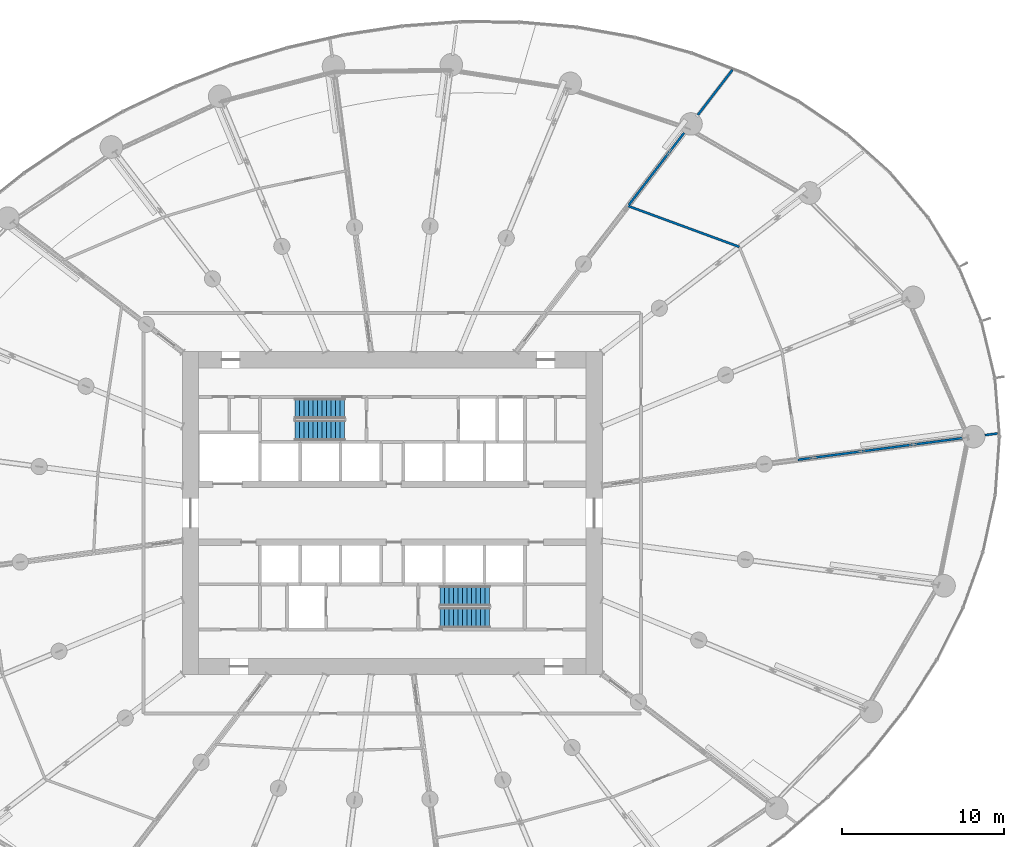
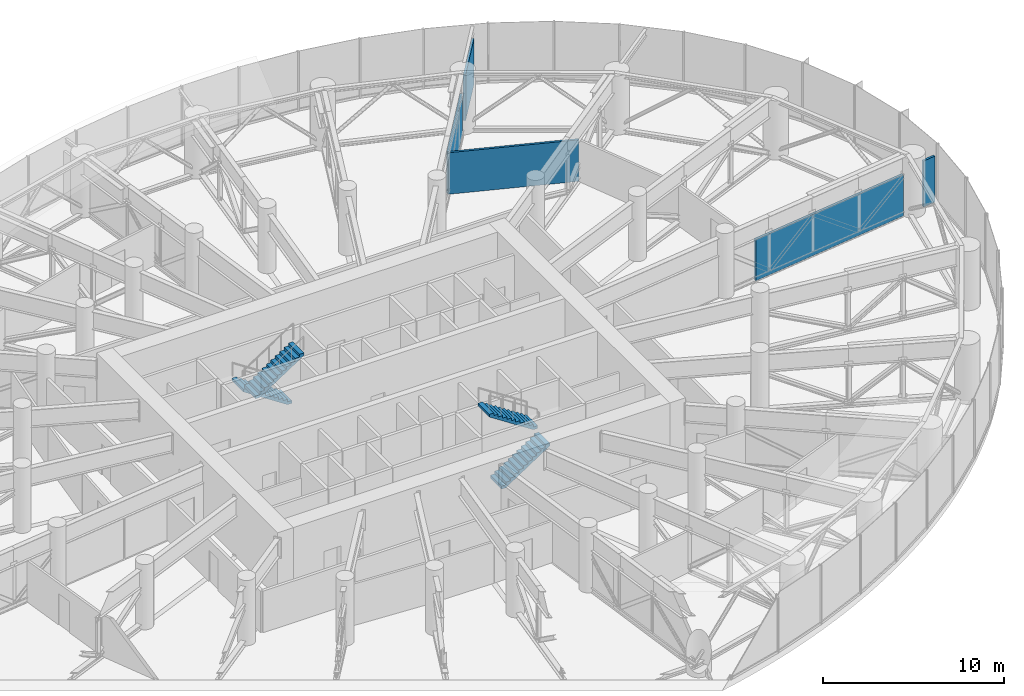
# One storey, part 25 of 42: 5 walls, 4 stair flights, 2 elements without a shape of their own.
"""IFC4 building model written with IfcOpenShell, lengths in metres."""

from ifc_helpers import new_model, si_unit, direction, frame, frame_2d, origin, place, context, subcontext, project, spatial, line, indexed_curve, rectangle, outline, extrude, material, layer, layer_set, type_object, element, aggregate, save


model = new_model("IFC4")

# Units and contexts
model_context = context("Model", 3, precision=1e-05, world=origin(), true_north=direction((0.0, 1.0)))
body_context = subcontext(model_context, "Body", "Model", "MODEL_VIEW")
ifc_project = project(units=[si_unit("LENGTHUNIT", "METRE"), si_unit("AREAUNIT", "SQUARE_METRE"), si_unit("VOLUMEUNIT", "CUBIC_METRE"), si_unit("PLANEANGLEUNIT", "RADIAN"), si_unit("MASSUNIT", "GRAM", prefix="KILO")], contexts=[model_context])

# Site, building, storey
site_placement = place(None, origin())
site = spatial("IfcSite", under=ifc_project, at=site_placement, CompositionType="ELEMENT")
building_placement = place(site_placement, origin())
building = spatial("IfcBuilding", under=site, at=building_placement, Name="Spindrift Exchange Tower", CompositionType="ELEMENT")
storey_placement = place(building_placement, frame((0.0, 0.0, 75.39990234375)))
storey = spatial("IfcBuildingStorey", under=building, at=storey_placement, Name="L17", CompositionType="ELEMENT", Elevation=75.39990234375)

# Walls
ifc_material_1 = material(Name="Fire-rated plasterboard partition", Category="gypsum")
ifc_layer_1 = layer(ifc_material_1, 0.139892578125)
ifc_layer_set_1 = layer_set([ifc_layer_1], Name="W-PLANT-140")
wall_type_1 = type_object("IfcWallType", Name="W-PLANT-140", PredefinedType="PARTITIONING", material=ifc_layer_set_1)
wall_1_placement = place(storey_placement, frame((70.9208984375, 72.658447265625, 0.0), z_axis=(0.0, 0.0, 1.0), x_axis=(0.608803527611, 0.793321035123, 0.0)))
element("IfcWall", 1, at=wall_1_placement, inside=storey, type_object=wall_type_1, Name="L17 Partition wall 114", PredefinedType="PARTITIONING", context=body_context, shape_type="SweptSolid", body=[
    extrude(rectangle(XDim=3.512939453125, YDim=0.139892578125, at=frame_2d((1.75634765625, 0.0))), origin(), (0.0, 0.0, 1.0), 3.10009765625),
])
wall_2_placement = place(storey_placement, frame((88.688720703125, 52.830078125, 0.0), z_axis=(0.0, 0.0, 1.0), x_axis=(0.991421968508, 0.130699963122, 0.0)))
element("IfcWall", 2, at=wall_2_placement, inside=storey, type_object=wall_type_1, Name="L17 Partition wall 135", PredefinedType="PARTITIONING", context=body_context, shape_type="SweptSolid", body=[
    extrude(rectangle(XDim=0.797607421875, YDim=0.139892578125, at=frame_2d((0.39892578125, 0.0))), origin(), (0.0, 0.0, 1.0), 3.10009765625),
])
ifc_layer_2 = layer(ifc_material_1, 0.139892578125)
ifc_layer_set_2 = layer_set([ifc_layer_2], Name="W-PLANT-140-SOFFIT")
wall_type_2 = type_object("IfcWallType", Name="W-PLANT-140-SOFFIT", PredefinedType="PARTITIONING", material=ifc_layer_set_2)
wall_3_placement = place(storey_placement, frame((77.114990234375, 51.306396484375, 0.0), z_axis=(0.0, 0.0, 1.0), x_axis=(0.991445064554, 0.130524648905, 0.0)))
element("IfcWall", 3, at=wall_3_placement, inside=storey, type_object=wall_type_2, Name="L17 Partition wall 80", PredefinedType="PARTITIONING", context=body_context, shape_type="SweptSolid", body=[
    extrude(rectangle(XDim=10.26513671875, YDim=0.139892578125, at=frame_2d((5.132568359375, 0.0))), origin(), (0.0, 0.0, 1.0), 2.800048828125),
])
wall_4_placement = place(storey_placement, frame((73.48681640625, 64.4873046875, 0.0), z_axis=(0.0, 0.0, 1.0), x_axis=(-0.938632857677, 0.344917901085, 0.0)))
element("IfcWall", 4, at=wall_4_placement, inside=storey, type_object=wall_type_2, Name="L17 Partition wall 81", PredefinedType="PARTITIONING", context=body_context, shape_type="SweptSolid", body=[
    extrude(rectangle(XDim=7.343017578125, YDim=0.139892578125, at=frame_2d((3.67138671875, 0.0))), origin(), (0.0, 0.0, 1.0), 2.800048828125),
])
wall_5_placement = place(storey_placement, frame((66.63916015625, 67.078125, 0.0), z_axis=(0.0, 0.0, 1.0), x_axis=(0.608768603858, 0.793347834784, 0.0)))
element("IfcWall", 5, at=wall_5_placement, inside=storey, type_object=wall_type_2, Name="L17 Partition wall 94", PredefinedType="PARTITIONING", context=body_context, shape_type="SweptSolid", body=[
    extrude(rectangle(XDim=5.62548828125, YDim=0.139892578125, at=frame_2d((2.812744140625, 0.0))), origin(), (0.0, 0.0, 1.0), 2.800048828125),
])

# Stair, stair flights
ifc_material_2 = material(Name="Concrete 50 MPa", Category="concrete")
stair_type = type_object("IfcStairType", Name="ST-1250-R183", PredefinedType="HALF_TURN_STAIR", material=ifc_material_2)
stair_1_placement = place(storey_placement, origin())
stair_1 = element("IfcStair", 6, at=stair_1_placement, inside=storey, type_object=stair_type, Name="L17 Exit stair ST1", PredefinedType="HALF_TURN_STAIR")
stair_flight_type = type_object("IfcStairFlightType", Name="STF-1250-R183", PredefinedType="STRAIGHT", material=ifc_material_2)
stair_flight_1_placement = place(storey_placement, frame((49.050048828125, 54.47509765625, 0.0), z_axis=(0.0, 0.0, 1.0), x_axis=(-1.0, 0.0, 0.0)))
stair_flight_1 = element("IfcStairFlight", 7, at=stair_flight_1_placement, type_object=stair_flight_type, Name="ST1 flight 1", NumberOfRisers=12, NumberOfTreads=11, PredefinedType="STRAIGHT", RiserHeight=0.183333333, TreadLength=0.28, context=body_context, shape_type="SweptSolid", body=[
    extrude(outline(indexed_curve([(0.0, 0.0), (0.0, 0.18359375), (0.2802734375, 0.18359375), (0.2802734375, 0.3662109375), (0.5595703125, 0.3662109375), (0.5595703125, 0.5498046875), (0.83984375, 0.5498046875), (0.83984375, 0.7333984375), (1.1201171875, 0.7333984375), (1.1201171875, 0.9169921875), (1.400390625, 0.9169921875), (1.400390625, 1.099609375), (1.6796875, 1.099609375), (1.6796875, 1.283203125), (1.9599609375, 1.283203125), (1.9599609375, 1.466796875), (2.240234375, 1.466796875), (2.240234375, 1.650390625), (2.51953125, 1.650390625), (2.51953125, 1.8330078125), (2.7998046875, 1.8330078125), (2.7998046875, 2.0166015625), (3.080078125, 2.0166015625), (3.080078125, 2.2001953125), (3.080078125, 1.837890625), (0.2734375, 0.0)], segments=[line(1, 2, 3, 4, 5, 6, 7, 8, 9, 10, 11, 12, 13, 14, 15, 16, 17, 18, 19, 20, 21, 22, 23, 24, 25, 26, 1)], self_intersect=False)), frame((0.0, 0.625, 0.0), z_axis=(0.0, -1.0, 0.0), x_axis=(1.0, 0.0, 0.0)), (0.0, 0.0, 1.0), 1.25),
])
stair_flight_2_placement = place(storey_placement, frame((45.969970703125, 53.125, 2.2001953125), z_axis=(0.0, 0.0, 1.0), x_axis=(1.0, 0.0, 0.0)))
stair_flight_2 = element("IfcStairFlight", 8, at=stair_flight_2_placement, type_object=stair_flight_type, Name="ST1 flight 2", NumberOfRisers=12, NumberOfTreads=11, PredefinedType="STRAIGHT", RiserHeight=0.183333333, TreadLength=0.28, context=body_context, shape_type="SweptSolid", body=[
    extrude(outline(indexed_curve([(0.0, 0.0), (0.0, 0.18359375), (0.2802734375, 0.18359375), (0.2802734375, 0.3662109375), (0.5595703125, 0.3662109375), (0.5595703125, 0.5498046875), (0.83984375, 0.5498046875), (0.83984375, 0.7333984375), (1.1201171875, 0.7333984375), (1.1201171875, 0.9169921875), (1.400390625, 0.9169921875), (1.400390625, 1.099609375), (1.6796875, 1.099609375), (1.6796875, 1.283203125), (1.9599609375, 1.283203125), (1.9599609375, 1.466796875), (2.240234375, 1.466796875), (2.240234375, 1.650390625), (2.51953125, 1.650390625), (2.51953125, 1.8330078125), (2.7998046875, 1.8330078125), (2.7998046875, 2.0166015625), (3.080078125, 2.0166015625), (3.080078125, 2.2001953125), (3.080078125, 1.837890625), (0.2734375, 0.0)], segments=[line(1, 2, 3, 4, 5, 6, 7, 8, 9, 10, 11, 12, 13, 14, 15, 16, 17, 18, 19, 20, 21, 22, 23, 24, 25, 26, 1)], self_intersect=False)), frame((0.0, 0.625, 0.0), z_axis=(0.0, -1.0, 0.0), x_axis=(1.0, 0.0, 0.0)), (0.0, 0.0, 1.0), 1.25),
])
aggregate(stair_1, [stair_flight_1, stair_flight_2])

stair_2_placement = place(storey_placement, origin())
stair_2 = element("IfcStair", 9, at=stair_2_placement, inside=storey, type_object=stair_type, Name="L17 Exit stair ST2", PredefinedType="HALF_TURN_STAIR")
stair_flight_3_placement = place(storey_placement, frame((54.949951171875, 41.52490234375, 0.0), z_axis=(0.0, 0.0, 1.0), x_axis=(1.0, 0.0, 0.0)))
stair_flight_3 = element("IfcStairFlight", 10, at=stair_flight_3_placement, type_object=stair_flight_type, Name="ST2 flight 1", NumberOfRisers=12, NumberOfTreads=11, PredefinedType="STRAIGHT", RiserHeight=0.183333333, TreadLength=0.28, context=body_context, shape_type="SweptSolid", body=[
    extrude(outline(indexed_curve([(0.0, 0.0), (0.0, 0.18359375), (0.2802734375, 0.18359375), (0.2802734375, 0.3662109375), (0.5595703125, 0.3662109375), (0.5595703125, 0.5498046875), (0.83984375, 0.5498046875), (0.83984375, 0.7333984375), (1.1201171875, 0.7333984375), (1.1201171875, 0.9169921875), (1.400390625, 0.9169921875), (1.400390625, 1.099609375), (1.6796875, 1.099609375), (1.6796875, 1.283203125), (1.9599609375, 1.283203125), (1.9599609375, 1.466796875), (2.240234375, 1.466796875), (2.240234375, 1.650390625), (2.51953125, 1.650390625), (2.51953125, 1.8330078125), (2.7998046875, 1.8330078125), (2.7998046875, 2.0166015625), (3.080078125, 2.0166015625), (3.080078125, 2.2001953125), (3.080078125, 1.837890625), (0.2734375, 0.0)], segments=[line(1, 2, 3, 4, 5, 6, 7, 8, 9, 10, 11, 12, 13, 14, 15, 16, 17, 18, 19, 20, 21, 22, 23, 24, 25, 26, 1)], self_intersect=False)), frame((0.0, 0.625, 0.0), z_axis=(0.0, -1.0, 0.0), x_axis=(1.0, 0.0, 0.0)), (0.0, 0.0, 1.0), 1.25),
])
stair_flight_4_placement = place(storey_placement, frame((58.030029296875, 42.875, 2.2001953125), z_axis=(0.0, 0.0, 1.0), x_axis=(-1.0, 0.0, 0.0)))
stair_flight_4 = element("IfcStairFlight", 11, at=stair_flight_4_placement, type_object=stair_flight_type, Name="ST2 flight 2", NumberOfRisers=12, NumberOfTreads=11, PredefinedType="STRAIGHT", RiserHeight=0.183333333, TreadLength=0.28, context=body_context, shape_type="SweptSolid", body=[
    extrude(outline(indexed_curve([(0.0, 0.0), (0.0, 0.18359375), (0.2802734375, 0.18359375), (0.2802734375, 0.3662109375), (0.5595703125, 0.3662109375), (0.5595703125, 0.5498046875), (0.83984375, 0.5498046875), (0.83984375, 0.7333984375), (1.1201171875, 0.7333984375), (1.1201171875, 0.9169921875), (1.400390625, 0.9169921875), (1.400390625, 1.099609375), (1.6796875, 1.099609375), (1.6796875, 1.283203125), (1.9599609375, 1.283203125), (1.9599609375, 1.466796875), (2.240234375, 1.466796875), (2.240234375, 1.650390625), (2.51953125, 1.650390625), (2.51953125, 1.8330078125), (2.7998046875, 1.8330078125), (2.7998046875, 2.0166015625), (3.080078125, 2.0166015625), (3.080078125, 2.2001953125), (3.080078125, 1.837890625), (0.2734375, 0.0)], segments=[line(1, 2, 3, 4, 5, 6, 7, 8, 9, 10, 11, 12, 13, 14, 15, 16, 17, 18, 19, 20, 21, 22, 23, 24, 25, 26, 1)], self_intersect=False)), frame((0.0, 0.625, 0.0), z_axis=(0.0, -1.0, 0.0), x_axis=(1.0, 0.0, 0.0)), (0.0, 0.0, 1.0), 1.25),
])
aggregate(stair_2, [stair_flight_3, stair_flight_4])

save(model, "model.ifc")
